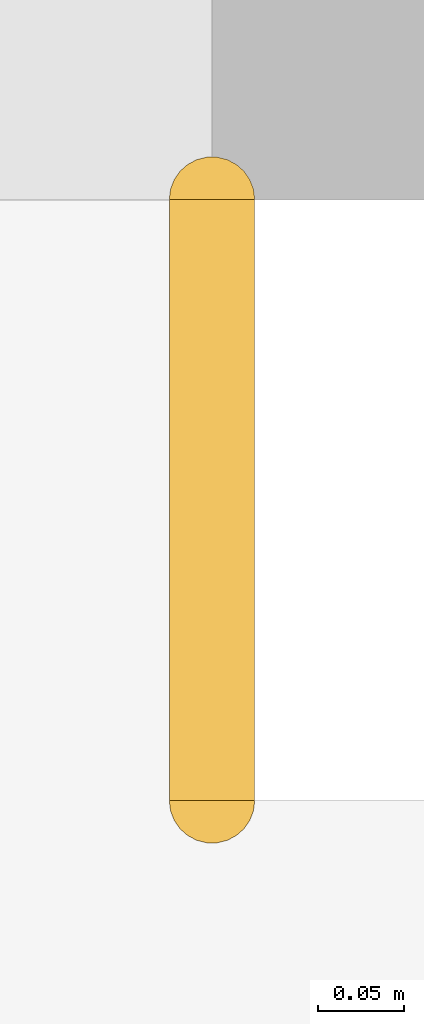
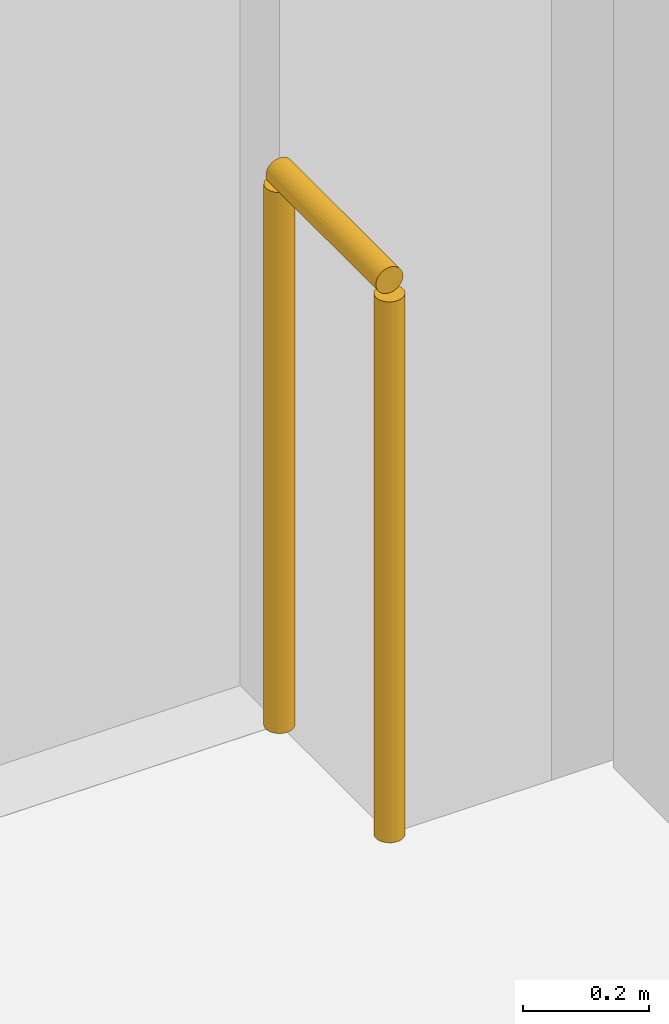
# One storey, part 32 of 35: 1 railing.
"""IFC4 building model written with IfcOpenShell, lengths in metres."""

from ifc_helpers import new_model, si_unit, direction, frame, origin, origin_2d, place, context, subcontext, project, spatial, circle, extrude, material, type_object, element, save


model = new_model("IFC4")

# Units and contexts
model_context = context("Model", 3, precision=1e-05, world=origin(), true_north=direction((0.0, 1.0)))
body_context = subcontext(model_context, "Body", "Model", "MODEL_VIEW")
ifc_project = project(units=[si_unit("LENGTHUNIT", "METRE"), si_unit("AREAUNIT", "SQUARE_METRE"), si_unit("VOLUMEUNIT", "CUBIC_METRE"), si_unit("PLANEANGLEUNIT", "RADIAN"), si_unit("MASSUNIT", "GRAM", prefix="KILO")], contexts=[model_context])

# Site, building, storey
site_placement = place(None, origin())
site = spatial("IfcSite", under=ifc_project, at=site_placement, CompositionType="ELEMENT")
building_placement = place(site_placement, origin())
building = spatial("IfcBuilding", under=site, at=building_placement, Name="Firuza Court", CompositionType="ELEMENT")
storey_placement = place(building_placement, frame((0.0, 0.0, 24.0)))
storey = spatial("IfcBuildingStorey", under=building, at=storey_placement, Name="L04", CompositionType="ELEMENT", Elevation=24.0)

# Railing
ifc_material = material(Name="Steel S355", Category="steel")
railing_type = type_object("IfcRailingType", Name="Slab opening guard 1100", PredefinedType="GUARDRAIL", material=ifc_material)
railing_placement = place(storey_placement, frame((46.5, 54.050048828125, 0.0)))
element("IfcRailing", 1, at=railing_placement, inside=storey, type_object=railing_type, Name="Slab opening guard", PredefinedType="GUARDRAIL", context=body_context, shape_type="SweptSolid", body=[
    extrude(circle(Radius=0.02490234375, at=origin_2d()), frame((0.0, 0.0, 1.0751953125), z_axis=(0.0, -1.0, 0.0), x_axis=(1.0, 0.0, 0.0)), (0.0, 0.0, 1.0), 0.35009765625),
    extrude(circle(Radius=0.02490234375, at=origin_2d()), origin(), (0.0, 0.0, 1.0), 1.050048828125),
    extrude(circle(Radius=0.02490234375, at=origin_2d()), frame((0.0, -0.35009765625, 0.0)), (0.0, 0.0, 1.0), 1.050048828125),
])

save(model, "model.ifc")
